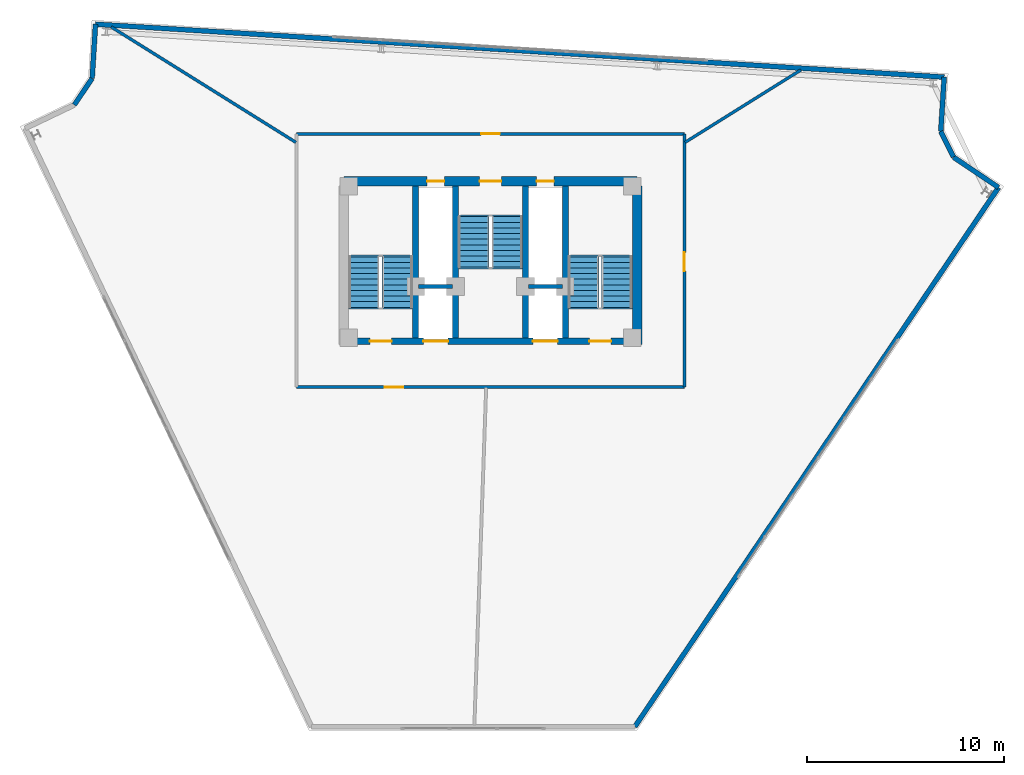
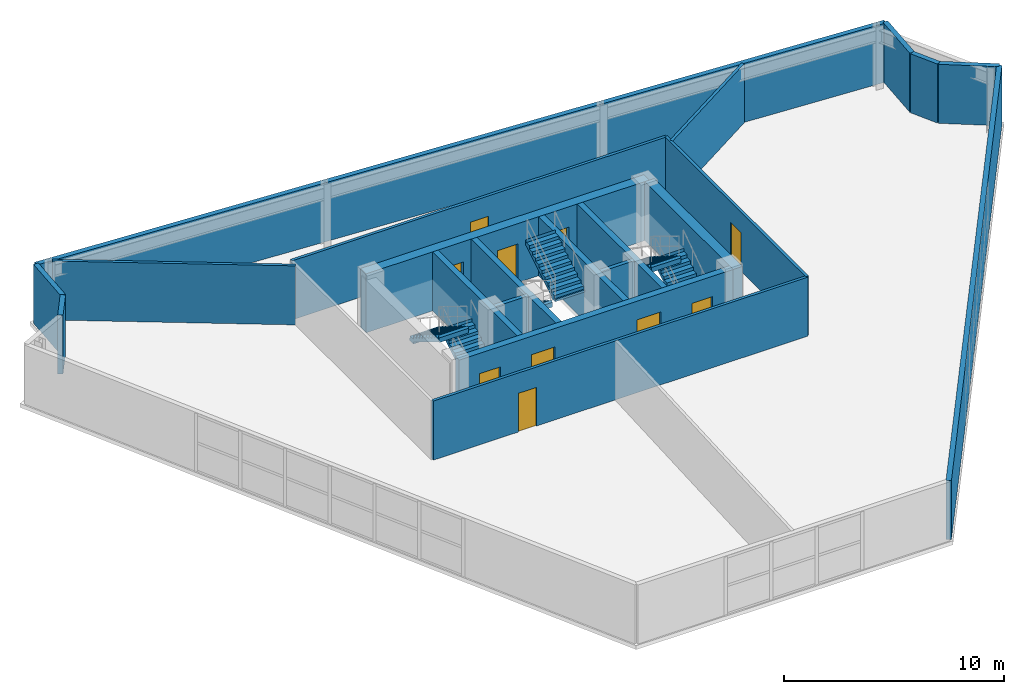
# One storey, part 7 of 8: 21 walls, 10 doors, 6 stair flights, 10 openings, 3 elements without a shape of their own.
"""IFC4 building model written with IfcOpenShell, lengths in metres."""

from ifc_helpers import new_model, si_unit, direction, frame, frame_2d, origin, place, context, subcontext, project, spatial, polyline, rectangle, outline, extrude, material, layer, layer_set, type_object, element, fill, aggregate, save


model = new_model("IFC4")

# Units and contexts
model_context = context("Model", 3, precision=1e-05, world=origin(), true_north=direction((0.0, 1.0)))
body_context = subcontext(model_context, "Body", "Model", "MODEL_VIEW")
ifc_project = project(units=[si_unit("LENGTHUNIT", "METRE"), si_unit("AREAUNIT", "SQUARE_METRE"), si_unit("VOLUMEUNIT", "CUBIC_METRE"), si_unit("PLANEANGLEUNIT", "RADIAN"), si_unit("MASSUNIT", "GRAM", prefix="KILO")], contexts=[model_context])

# Site, building, storey
site_placement = place(None, origin())
site = spatial("IfcSite", under=ifc_project, at=site_placement, CompositionType="ELEMENT")
building_placement = place(site_placement, origin())
building = spatial("IfcBuilding", under=site, at=building_placement, Name="Apsidion Concourse Tower", CompositionType="ELEMENT")
storey_placement = place(building_placement, frame((0.0, 0.0, 332.5)))
storey = spatial("IfcBuildingStorey", under=building, at=storey_placement, Name="L78", CompositionType="ELEMENT", Elevation=332.5)

# Walls
ifc_material_1 = material(Name="Precast concrete C40/50", Category="concrete")
ifc_layer_1 = layer(ifc_material_1, 0.25)
ifc_layer_set_1 = layer_set([ifc_layer_1], Name="Precast concrete C40/50")
wall_type_1 = type_object("IfcWallType", Name="WL-EXT-250", PredefinedType="STANDARD", material=ifc_layer_set_1)
wall_1_placement = place(storey_placement, frame((-21.134521484375, 13.278076171875, 0.0), z_axis=(0.0, 0.0, 1.0), x_axis=(0.559107950815, 0.829094867512, 0.0)))
element("IfcWall", 1, at=wall_1_placement, inside=storey, type_object=wall_type_1, Name="L78 Precast Stone Facade Wall 02", PredefinedType="STANDARD", context=body_context, shape_type="SweptSolid", body=[
    extrude(rectangle(XDim=1.620361328125, YDim=0.25, at=frame_2d((0.81005859375, 0.0))), origin(), (0.0, 0.0, 1.0), 3.280029296875),
])
wall_2_placement = place(storey_placement, frame((-20.228515625, 14.62158203125, 0.0), z_axis=(0.0, 0.0, 1.0), x_axis=(0.062361765106, 0.998053610911, 0.0)))
element("IfcWall", 2, at=wall_2_placement, inside=storey, type_object=wall_type_1, Name="L78 Precast Stone Facade Wall 03", PredefinedType="STANDARD", context=body_context, shape_type="SweptSolid", body=[
    extrude(rectangle(XDim=2.760009765625, YDim=0.25, at=frame_2d((1.3798828125, 0.0))), origin(), (0.0, 0.0, 1.0), 3.280029296875),
])
wall_3_placement = place(storey_placement, frame((-20.056396484375, 17.376220703125, 0.0), z_axis=(0.0, 0.0, 1.0), x_axis=(0.998061236898, -0.06223959674, 0.0)))
element("IfcWall", 3, at=wall_3_placement, inside=storey, type_object=wall_type_1, Name="L78 Precast Stone Facade Wall 04", PredefinedType="STANDARD", context=body_context, shape_type="SweptSolid", body=[
    extrude(rectangle(XDim=43.179931640625, YDim=0.25, at=frame_2d((21.58984375, 0.0))), origin(), (0.0, 0.0, 1.0), 3.280029296875),
])
wall_4_placement = place(storey_placement, frame((23.039794921875, 14.688720703125, 0.0), z_axis=(0.0, 0.0, 1.0), x_axis=(-0.062295651102, -0.998057739739, 0.0)))
element("IfcWall", 4, at=wall_4_placement, inside=storey, type_object=wall_type_1, Name="L78 Precast Stone Facade Wall 05", PredefinedType="STANDARD", context=body_context, shape_type="SweptSolid", body=[
    extrude(rectangle(XDim=2.759033203125, YDim=0.25, at=frame_2d((1.37939453125, 0.0))), origin(), (0.0, 0.0, 1.0), 3.280029296875),
])
wall_5_placement = place(storey_placement, frame((22.867919921875, 11.93505859375, 0.0), z_axis=(0.0, 0.0, 1.0), x_axis=(0.441785524615, -0.897120699929, 0.0)))
element("IfcWall", 5, at=wall_5_placement, inside=storey, type_object=wall_type_1, Name="L78 Precast Stone Facade Wall 06", PredefinedType="STANDARD", context=body_context, shape_type="SweptSolid", body=[
    extrude(rectangle(XDim=1.45947265625, YDim=0.25, at=frame_2d((0.729736328125, 0.0))), origin(), (0.0, 0.0, 1.0), 3.280029296875),
])
wall_6_placement = place(storey_placement, frame((23.5126953125, 10.625732421875, 0.0), z_axis=(0.0, 0.0, 1.0), x_axis=(0.829056864924, -0.559164300294, 0.0)))
element("IfcWall", 6, at=wall_6_placement, inside=storey, type_object=wall_type_1, Name="L78 Precast Stone Facade Wall 07", PredefinedType="STANDARD", context=body_context, shape_type="SweptSolid", body=[
    extrude(rectangle(XDim=2.759033203125, YDim=0.25, at=frame_2d((1.37939453125, 0.0))), origin(), (0.0, 0.0, 1.0), 3.280029296875),
])
wall_7_placement = place(storey_placement, frame((25.800048828125, 9.0830078125, 0.0), z_axis=(0.0, 0.0, 1.0), x_axis=(-0.559195190786, -0.829036029737, 0.0)))
element("IfcWall", 7, at=wall_7_placement, inside=storey, type_object=wall_type_1, Name="L78 Precast Stone Facade Wall 08", PredefinedType="STANDARD", context=body_context, shape_type="SweptSolid", body=[
    extrude(rectangle(XDim=33.030029296875, YDim=0.25, at=frame_2d((16.51513671875, 0.0))), origin(), (0.0, 0.0, 1.0), 3.280029296875),
])

# Wall, opening, door
ifc_material_2 = material(Name="Gypsum plasterboard partition")
ifc_layer_2 = layer(ifc_material_2, 0.14990234375)
ifc_layer_set_2 = layer_set([ifc_layer_2], Name="Gypsum plasterboard partition")
wall_type_2 = type_object("IfcWallType", Name="WL-INT-PAR-150", PredefinedType="PARTITIONING", material=ifc_layer_set_2)
wall_8_placement = place(storey_placement, frame((-9.85009765625, 11.800048828125, 0.0), z_axis=(0.0, 0.0, 1.0), x_axis=(1.0, 0.0, 0.0)))
wall_8 = element("IfcWall", 8, at=wall_8_placement, inside=storey, type_object=wall_type_2, Name="L78 Interior Partition WL-L78-CCR-1", PredefinedType="PARTITIONING", context=body_context, shape_type="SweptSolid", body=[
    extrude(rectangle(XDim=19.7001953125, YDim=0.14990234375, at=frame_2d((9.85009765625, 0.0))), origin(), (0.0, 0.0, 1.0), 3.280029296875),
])
opening_1_placement = place(wall_8_placement, frame((9.375, 0.0, 0.0)))
opening_1 = element("IfcOpeningElement", 9, at=opening_1_placement, cuts=wall_8, Name="Opening D-04L", PredefinedType="OPENING", context=body_context, shape_type="SweptSolid", body=[
    extrude(rectangle(XDim=0.949951171875, YDim=2.14990234375, at=frame_2d((0.47509765625, 1.074951171875))), frame((0.0, 0.0849609375, 0.0), z_axis=(0.0, -1.0, 0.0), x_axis=(1.0, 0.0, 0.0)), (0.0, 0.0, 1.0), 0.169921875),
])
ifc_material_3 = material(Name="Brushed stainless steel 316", Category="steel")
door_type_1 = type_object("IfcDoorType", Name="DR-INT-D04L", OperationType="SINGLE_SWING_LEFT", PredefinedType="DOOR", material=ifc_material_3)
door_1_placement = place(opening_1_placement, origin())
door_1 = element("IfcDoor", 10, at=door_1_placement, inside=storey, type_object=door_type_1, Name="L78 Crown Plant Door 3", OperationType="SINGLE_SWING_LEFT", OverallHeight=2.14990234375, OverallWidth=0.949951171875, PredefinedType="DOOR", context=body_context, shape_type="SweptSolid", body=[
    extrude(rectangle(XDim=0.949951171875, YDim=2.14990234375, at=frame_2d((0.47509765625, 1.074951171875))), frame((0.0, 0.02490234375, 0.0), z_axis=(0.0, -1.0, 0.0), x_axis=(1.0, 0.0, 0.0)), (0.0, 0.0, 1.0), 0.050048828125),
])
fill(opening_1, door_1)

wall_9_placement = place(storey_placement, frame((9.85009765625, 11.800048828125, 0.0), z_axis=(0.0, 0.0, 1.0), x_axis=(0.0, -1.0, 0.0)))
wall_9 = element("IfcWall", 11, at=wall_9_placement, inside=storey, type_object=wall_type_2, Name="L78 Interior Partition WL-L78-CCR-2", PredefinedType="PARTITIONING", context=body_context, shape_type="SweptSolid", body=[
    extrude(rectangle(XDim=12.85498046875, YDim=0.14990234375, at=frame_2d((6.427490234375, 0.0))), origin(), (0.0, 0.0, 1.0), 3.280029296875),
])
opening_2_placement = place(wall_9_placement, frame((6.015380859375, 0.0, 0.0)))
opening_2 = element("IfcOpeningElement", 12, at=opening_2_placement, cuts=wall_9, Name="Opening D-04R", PredefinedType="OPENING", context=body_context, shape_type="SweptSolid", body=[
    extrude(rectangle(XDim=0.949951171875, YDim=2.14990234375, at=frame_2d((0.47509765625, 1.074951171875))), frame((0.0, 0.0849609375, 0.0), z_axis=(0.0, -1.0, 0.0), x_axis=(1.0, 0.0, 0.0)), (0.0, 0.0, 1.0), 0.169921875),
])
door_type_2 = type_object("IfcDoorType", Name="DR-INT-D04R", OperationType="SINGLE_SWING_RIGHT", PredefinedType="DOOR", material=ifc_material_3)
door_2_placement = place(opening_2_placement, origin())
door_2 = element("IfcDoor", 13, at=door_2_placement, inside=storey, type_object=door_type_2, Name="L78 Crown Plant Door 2", OperationType="SINGLE_SWING_RIGHT", OverallHeight=2.14990234375, OverallWidth=0.949951171875, PredefinedType="DOOR", context=body_context, shape_type="SweptSolid", body=[
    extrude(rectangle(XDim=0.949951171875, YDim=2.14990234375, at=frame_2d((0.47509765625, 1.074951171875))), frame((0.0, 0.02490234375, 0.0), z_axis=(0.0, -1.0, 0.0), x_axis=(1.0, 0.0, 0.0)), (0.0, 0.0, 1.0), 0.050048828125),
])
fill(opening_2, door_2)

wall_10_placement = place(storey_placement, frame((9.85009765625, -1.054931640625, 0.0), z_axis=(0.0, 0.0, 1.0), x_axis=(-1.0, 0.0, 0.0)))
wall_10 = element("IfcWall", 14, at=wall_10_placement, inside=storey, type_object=wall_type_2, Name="L78 Interior Partition WL-L78-CCR-3", PredefinedType="PARTITIONING", context=body_context, shape_type="SweptSolid", body=[
    extrude(rectangle(XDim=19.7001953125, YDim=0.14990234375, at=frame_2d((9.85009765625, 0.0))), origin(), (0.0, 0.0, 1.0), 3.280029296875),
])
opening_3_placement = place(wall_10_placement, frame((14.2802734375, 0.0, 0.0)))
opening_3 = element("IfcOpeningElement", 15, at=opening_3_placement, cuts=wall_10, Name="Opening D-04L", PredefinedType="OPENING", context=body_context, shape_type="SweptSolid", body=[
    extrude(rectangle(XDim=0.949951171875, YDim=2.14990234375, at=frame_2d((0.47509765625, 1.074951171875))), frame((0.0, 0.0849609375, 0.0), z_axis=(0.0, -1.0, 0.0), x_axis=(1.0, 0.0, 0.0)), (0.0, 0.0, 1.0), 0.169921875),
])
door_3_placement = place(opening_3_placement, origin())
door_3 = element("IfcDoor", 16, at=door_3_placement, inside=storey, type_object=door_type_1, Name="L78 Crown Plant Door 1", OperationType="SINGLE_SWING_LEFT", OverallHeight=2.14990234375, OverallWidth=0.949951171875, PredefinedType="DOOR", context=body_context, shape_type="SweptSolid", body=[
    extrude(rectangle(XDim=0.949951171875, YDim=2.14990234375, at=frame_2d((0.47509765625, 1.074951171875))), frame((0.0, 0.02490234375, 0.0), z_axis=(0.0, -1.0, 0.0), x_axis=(1.0, 0.0, 0.0)), (0.0, 0.0, 1.0), 0.050048828125),
])
fill(opening_3, door_3)

# Walls
wall_11_placement = place(storey_placement, frame((9.8798828125, 11.373779296875, 0.0), z_axis=(0.0, 0.0, 1.0), x_axis=(0.848061528104, 0.529897768017, 0.0)))
element("IfcWall", 17, at=wall_11_placement, inside=storey, type_object=wall_type_2, Name="L78 Interior Partition WL-L78-CRD-1-1", PredefinedType="PARTITIONING", context=body_context, shape_type="SweptSolid", body=[
    extrude(rectangle(XDim=6.94140625, YDim=0.14990234375, at=frame_2d((3.470703125, 0.0))), origin(), (0.0, 0.0, 1.0), 3.280029296875),
])
wall_12_placement = place(storey_placement, frame((-9.8798828125, 11.373779296875, 0.0), z_axis=(0.0, 0.0, 1.0), x_axis=(-0.848047887242, 0.529919598567, 0.0)))
element("IfcWall", 18, at=wall_12_placement, inside=storey, type_object=wall_type_2, Name="L78 Interior Partition WL-L78-CRD-2-1", PredefinedType="PARTITIONING", context=body_context, shape_type="SweptSolid", body=[
    extrude(rectangle(XDim=11.06396484375, YDim=0.14990234375, at=frame_2d((5.531982421875, 0.0))), origin(), (0.0, 0.0, 1.0), 3.280029296875),
])
ifc_layer_3 = layer(ifc_material_2, 0.199951171875)
ifc_layer_set_3 = layer_set([ifc_layer_3], Name="Gypsum plasterboard partition")
wall_type_3 = type_object("IfcWallType", Name="WL-INT-PAR-200", PredefinedType="PARTITIONING", material=ifc_layer_set_3)
for number, where, z_axis, x_axis, name in (
    (19, (-3.64990234375, 4.050048828125, 0.0), (0.0, 0.0, 1.0), (1.0, 0.0, 0.0), "L78 Interior Partition WL-L78-FF1-N"),
    (20, (1.919921875, 4.050048828125, 0.0), (0.0, 0.0, 1.0), (1.0, 0.0, 0.0), "L78 Interior Partition WL-L78-FF2-N"),
):
    element("IfcWall", number, at=place(storey_placement, frame(where, z_axis=z_axis, x_axis=x_axis)), inside=storey, type_object=wall_type_3, Name=name, PredefinedType="PARTITIONING", context=body_context, shape_type="SweptSolid", body=[
        extrude(rectangle(XDim=1.72998046875, YDim=0.199951171875, at=frame_2d((0.864990234375, 0.0))), origin(), (0.0, 0.0, 1.0), 3.280029296875),
    ])
ifc_material_4 = material(Name="Concrete C50/60", Category="concrete")
ifc_layer_4 = layer(ifc_material_4, 0.300048828125)
ifc_layer_set_4 = layer_set([ifc_layer_4], Name="Concrete C50/60")
wall_type_4 = type_object("IfcWallType", Name="WL-SH-300", PredefinedType="SHEAR", material=ifc_layer_set_4)
for number, where, z_axis, x_axis, name in (
    (21, (-3.800048828125, 1.449951171875, 0.0), (0.0, 0.0, 1.0), (0.0, 1.0, 0.0), "L78 Central Core Shear Wall V1"),
    (22, (-1.77490234375, 1.449951171875, 0.0), (0.0, 0.0, 1.0), (0.0, 1.0, 0.0), "L78 Central Core Shear Wall V2"),
    (23, (1.77490234375, 1.449951171875, 0.0), (0.0, 0.0, 1.0), (0.0, 1.0, 0.0), "L78 Central Core Shear Wall V3"),
    (24, (3.800048828125, 1.449951171875, 0.0), (0.0, 0.0, 1.0), (0.0, 1.0, 0.0), "L78 Central Core Shear Wall V4"),
):
    element("IfcWall", number, at=place(storey_placement, frame(where, z_axis=z_axis, x_axis=x_axis)), inside=storey, type_object=wall_type_4, Name=name, PredefinedType="SHEAR", context=body_context, shape_type="SweptSolid", body=[
        extrude(rectangle(XDim=7.699951171875, YDim=0.300048828125, at=frame_2d((3.85009765625, 0.0))), origin(), (0.0, 0.0, 1.0), 3.280029296875),
    ])

# Wall, openings, doors
ifc_layer_5 = layer(ifc_material_4, 0.35009765625)
ifc_layer_set_5 = layer_set([ifc_layer_5], Name="Concrete C50/60")
wall_type_5 = type_object("IfcWallType", Name="WL-SH-350", PredefinedType="SHEAR", material=ifc_layer_set_5)
wall_13_placement = place(storey_placement, frame((-7.199951171875, 1.27490234375, 0.0), z_axis=(0.0, 0.0, 1.0), x_axis=(1.0, 0.0, 0.0)))
wall_13 = element("IfcWall", 25, at=wall_13_placement, inside=storey, type_object=wall_type_5, Name="L78 Central Core Shear Wall M1", PredefinedType="SHEAR", context=body_context, shape_type="SweptSolid", body=[
    extrude(rectangle(XDim=14.39990234375, YDim=0.35009765625, at=frame_2d((7.199951171875, 0.0))), origin(), (0.0, 0.0, 1.0), 3.280029296875),
])
opening_4_placement = place(wall_13_placement, frame((3.794921875, 0.0, 0.0)))
opening_4 = element("IfcOpeningElement", 26, at=opening_4_placement, cuts=wall_13, Name="Opening LD-FF", PredefinedType="OPENING", context=body_context, shape_type="SweptSolid", body=[
    extrude(rectangle(XDim=1.25, YDim=2.25, at=frame_2d((0.625, 1.125))), frame((0.0, 0.18505859375, 0.0), z_axis=(0.0, -1.0, 0.0), x_axis=(1.0, 0.0, 0.0)), (0.0, 0.0, 1.0), 0.3701171875),
])
opening_5_placement = place(wall_13_placement, frame((9.35498046875, 0.0, 0.0)))
opening_5 = element("IfcOpeningElement", 27, at=opening_5_placement, cuts=wall_13, Name="Opening LD-FF", PredefinedType="OPENING", context=body_context, shape_type="SweptSolid", body=[
    extrude(rectangle(XDim=1.25, YDim=2.25, at=frame_2d((0.625, 1.125))), frame((0.0, 0.18505859375, 0.0), z_axis=(0.0, -1.0, 0.0), x_axis=(1.0, 0.0, 0.0)), (0.0, 0.0, 1.0), 0.3701171875),
])
opening_6_placement = place(wall_13_placement, frame((1.074951171875, 0.0, 0.0)))
opening_6 = element("IfcOpeningElement", 28, at=opening_6_placement, cuts=wall_13, Name="Opening D-STL", PredefinedType="OPENING", context=body_context, shape_type="SweptSolid", body=[
    extrude(rectangle(XDim=1.10009765625, YDim=2.14990234375, at=frame_2d((0.550048828125, 1.074951171875))), frame((0.0, 0.18505859375, 0.0), z_axis=(0.0, -1.0, 0.0), x_axis=(1.0, 0.0, 0.0)), (0.0, 0.0, 1.0), 0.3701171875),
])
opening_7_placement = place(wall_13_placement, frame((12.22509765625, 0.0, 0.0)))
opening_7 = element("IfcOpeningElement", 29, at=opening_7_placement, cuts=wall_13, Name="Opening D-STR", PredefinedType="OPENING", context=body_context, shape_type="SweptSolid", body=[
    extrude(rectangle(XDim=1.10009765625, YDim=2.14990234375, at=frame_2d((0.550048828125, 1.074951171875))), frame((0.0, 0.18505859375, 0.0), z_axis=(0.0, -1.0, 0.0), x_axis=(1.0, 0.0, 0.0)), (0.0, 0.0, 1.0), 0.3701171875),
])
door_type_3 = type_object("IfcDoorType", Name="DR-INT-ST1L", OperationType="SINGLE_SWING_LEFT", PredefinedType="DOOR", material=ifc_material_3)
door_4_placement = place(opening_6_placement, origin())
door_4 = element("IfcDoor", 30, at=door_4_placement, inside=storey, type_object=door_type_3, Name="L78 Core Exit Stair ST1 Door", OperationType="SINGLE_SWING_LEFT", OverallHeight=2.14990234375, OverallWidth=1.10009765625, PredefinedType="DOOR", context=body_context, shape_type="SweptSolid", body=[
    extrude(rectangle(XDim=1.10009765625, YDim=2.14990234375, at=frame_2d((0.550048828125, 1.074951171875))), frame((0.0, 0.02490234375, 0.0), z_axis=(0.0, -1.0, 0.0), x_axis=(1.0, 0.0, 0.0)), (0.0, 0.0, 1.0), 0.050048828125),
])
fill(opening_6, door_4)
door_type_4 = type_object("IfcDoorType", Name="DR-INT-ST1R", OperationType="SINGLE_SWING_RIGHT", PredefinedType="DOOR", material=ifc_material_3)
door_5_placement = place(opening_7_placement, origin())
door_5 = element("IfcDoor", 31, at=door_5_placement, inside=storey, type_object=door_type_4, Name="L78 Core Exit Stair ST2 Door", OperationType="SINGLE_SWING_RIGHT", OverallHeight=2.14990234375, OverallWidth=1.10009765625, PredefinedType="DOOR", context=body_context, shape_type="SweptSolid", body=[
    extrude(rectangle(XDim=1.10009765625, YDim=2.14990234375, at=frame_2d((0.550048828125, 1.074951171875))), frame((0.0, 0.02490234375, 0.0), z_axis=(0.0, -1.0, 0.0), x_axis=(1.0, 0.0, 0.0)), (0.0, 0.0, 1.0), 0.050048828125),
])
fill(opening_7, door_5)
door_type_5 = type_object("IfcDoorType", Name="DR-LD-FSAE", OperationType="DOUBLE_DOOR_SLIDING", PredefinedType="DOOR", material=ifc_material_3)
door_6_placement = place(opening_4_placement, origin())
door_6 = element("IfcDoor", 32, at=door_6_placement, inside=storey, type_object=door_type_5, Name="L78 Lift Landing Door FF1", OperationType="DOUBLE_DOOR_SLIDING", OverallHeight=2.25, OverallWidth=1.25, PredefinedType="DOOR", context=body_context, shape_type="SweptSolid", body=[
    extrude(rectangle(XDim=1.25, YDim=2.25, at=frame_2d((0.625, 1.125))), frame((0.0, 0.02490234375, 0.0), z_axis=(0.0, -1.0, 0.0), x_axis=(1.0, 0.0, 0.0)), (0.0, 0.0, 1.0), 0.050048828125),
])
fill(opening_4, door_6)
door_7_placement = place(opening_5_placement, origin())
door_7 = element("IfcDoor", 33, at=door_7_placement, inside=storey, type_object=door_type_5, Name="L78 Lift Landing Door FF2", OperationType="DOUBLE_DOOR_SLIDING", OverallHeight=2.25, OverallWidth=1.25, PredefinedType="DOOR", context=body_context, shape_type="SweptSolid", body=[
    extrude(rectangle(XDim=1.25, YDim=2.25, at=frame_2d((0.625, 1.125))), frame((0.0, 0.02490234375, 0.0), z_axis=(0.0, -1.0, 0.0), x_axis=(1.0, 0.0, 0.0)), (0.0, 0.0, 1.0), 0.050048828125),
])
fill(opening_5, door_7)

ifc_layer_6 = layer(ifc_material_4, 0.5)
ifc_layer_set_6 = layer_set([ifc_layer_6], Name="Concrete C50/60")
wall_type_6 = type_object("IfcWallType", Name="WL-SH-500", PredefinedType="SHEAR", material=ifc_layer_set_6)
wall_14_placement = place(storey_placement, frame((-7.449951171875, 9.39990234375, 0.0), z_axis=(0.0, 0.0, 1.0), x_axis=(1.0, 0.0, 0.0)))
wall_14 = element("IfcWall", 34, at=wall_14_placement, inside=storey, type_object=wall_type_6, Name="L78 Central Core Shear Wall N", PredefinedType="SHEAR", context=body_context, shape_type="SweptSolid", body=[
    extrude(rectangle(XDim=14.89990234375, YDim=0.5, at=frame_2d((7.449951171875, 0.0))), origin(), (0.0, 0.0, 1.0), 3.280029296875),
])
opening_8_placement = place(wall_14_placement, frame((6.89990234375, 0.0, 0.0)))
opening_8 = element("IfcOpeningElement", 35, at=opening_8_placement, cuts=wall_14, Name="Opening D-STL", PredefinedType="OPENING", context=body_context, shape_type="SweptSolid", body=[
    extrude(rectangle(XDim=1.10009765625, YDim=2.14990234375, at=frame_2d((0.550048828125, 1.074951171875))), frame((0.0, 0.260009765625, 0.0), z_axis=(0.0, -1.0, 0.0), x_axis=(1.0, 0.0, 0.0)), (0.0, 0.0, 1.0), 0.52001953125),
])
opening_9_placement = place(wall_14_placement, frame((4.22998046875, 0.0, 0.0)))
opening_9 = element("IfcOpeningElement", 36, at=opening_9_placement, cuts=wall_14, Name="Opening D-05L", PredefinedType="OPENING", context=body_context, shape_type="SweptSolid", body=[
    extrude(rectangle(XDim=0.8798828125, YDim=2.14990234375, at=frame_2d((0.43994140625, 1.074951171875))), frame((0.0, 0.260009765625, 0.0), z_axis=(0.0, -1.0, 0.0), x_axis=(1.0, 0.0, 0.0)), (0.0, 0.0, 1.0), 0.52001953125),
])
opening_10_placement = place(wall_14_placement, frame((9.7900390625, 0.0, 0.0)))
opening_10 = element("IfcOpeningElement", 37, at=opening_10_placement, cuts=wall_14, Name="Opening D-05R", PredefinedType="OPENING", context=body_context, shape_type="SweptSolid", body=[
    extrude(rectangle(XDim=0.8798828125, YDim=2.14990234375, at=frame_2d((0.43994140625, 1.074951171875))), frame((0.0, 0.260009765625, 0.0), z_axis=(0.0, -1.0, 0.0), x_axis=(1.0, 0.0, 0.0)), (0.0, 0.0, 1.0), 0.52001953125),
])
door_type_6 = type_object("IfcDoorType", Name="DR-INT-D05L", OperationType="SINGLE_SWING_LEFT", PredefinedType="DOOR", material=ifc_material_3)
door_8_placement = place(opening_9_placement, origin())
door_8 = element("IfcDoor", 38, at=door_8_placement, inside=storey, type_object=door_type_6, Name="L78 Electrical Riser Shaft Access Door", OperationType="SINGLE_SWING_LEFT", OverallHeight=2.14990234375, OverallWidth=0.8798828125, PredefinedType="DOOR", context=body_context, shape_type="SweptSolid", body=[
    extrude(rectangle(XDim=0.8798828125, YDim=2.14990234375, at=frame_2d((0.43994140625, 1.074951171875))), frame((0.0, 0.02490234375, 0.0), z_axis=(0.0, -1.0, 0.0), x_axis=(1.0, 0.0, 0.0)), (0.0, 0.0, 1.0), 0.050048828125),
])
fill(opening_9, door_8)
door_type_7 = type_object("IfcDoorType", Name="DR-INT-D05R", OperationType="SINGLE_SWING_RIGHT", PredefinedType="DOOR", material=ifc_material_3)
door_9_placement = place(opening_10_placement, origin())
door_9 = element("IfcDoor", 39, at=door_9_placement, inside=storey, type_object=door_type_7, Name="L78 Mechanical Riser Shaft Access Door", OperationType="SINGLE_SWING_RIGHT", OverallHeight=2.14990234375, OverallWidth=0.8798828125, PredefinedType="DOOR", context=body_context, shape_type="SweptSolid", body=[
    extrude(rectangle(XDim=0.8798828125, YDim=2.14990234375, at=frame_2d((0.43994140625, 1.074951171875))), frame((0.0, 0.02490234375, 0.0), z_axis=(0.0, -1.0, 0.0), x_axis=(1.0, 0.0, 0.0)), (0.0, 0.0, 1.0), 0.050048828125),
])
fill(opening_10, door_9)
door_10_placement = place(opening_8_placement, origin())
door_10 = element("IfcDoor", 40, at=door_10_placement, inside=storey, type_object=door_type_3, Name="L78 Core Exit Stair ST3 Door", OperationType="SINGLE_SWING_LEFT", OverallHeight=2.14990234375, OverallWidth=1.10009765625, PredefinedType="DOOR", context=body_context, shape_type="SweptSolid", body=[
    extrude(rectangle(XDim=1.10009765625, YDim=2.14990234375, at=frame_2d((0.550048828125, 1.074951171875))), frame((0.0, 0.02490234375, 0.0), z_axis=(0.0, -1.0, 0.0), x_axis=(1.0, 0.0, 0.0)), (0.0, 0.0, 1.0), 0.050048828125),
])
fill(opening_8, door_10)

# Wall
wall_15_placement = place(storey_placement, frame((7.449951171875, 1.10009765625, 0.0), z_axis=(0.0, 0.0, 1.0), x_axis=(0.0, 1.0, 0.0)))
element("IfcWall", 41, at=wall_15_placement, inside=storey, type_object=wall_type_6, Name="L78 Central Core Shear Wall EN", PredefinedType="SHEAR", context=body_context, shape_type="SweptSolid", body=[
    extrude(rectangle(XDim=8.0498046875, YDim=0.5, at=frame_2d((4.02490234375, 0.0))), origin(), (0.0, 0.0, 1.0), 3.280029296875),
])

# Stair, stair flights
stair_type = type_object("IfcStairType", Name="ST-DL-1550", PredefinedType="HALF_TURN_STAIR", material=ifc_material_1)
stair_1_placement = place(storey_placement, origin())
stair_1 = element("IfcStair", 42, at=stair_1_placement, inside=storey, type_object=stair_type, Name="L78 Protected Core Exit Stair ST1", PredefinedType="HALF_TURN_STAIR")
stair_flight_type = type_object("IfcStairFlightType", Name="SFL-RC-1550", PredefinedType="STRAIGHT", material=ifc_material_1)
stair_flight_1_placement = place(storey_placement, frame((-4.72509765625, 3.0, 0.0), z_axis=(0.0, 0.0, 1.0), x_axis=(0.0, 1.0, 0.0)))
stair_flight_1 = element("IfcStairFlight", 43, at=stair_flight_1_placement, type_object=stair_flight_type, Name="ST1 flight 1", NumberOfRisers=10, NumberOfTreads=9, PredefinedType="STRAIGHT", RiserHeight=0.175, TreadLength=0.285, context=body_context, shape_type="SweptSolid", body=[
    extrude(outline(polyline([(-0.080078125, -0.1123046875), (-0.080078125, 0.0), (0.0, 0.0), (0.0, 0.175048828125), (0.284912109375, 0.175048828125), (0.284912109375, 0.35009765625), (0.570068359375, 0.35009765625), (0.570068359375, 0.52490234375), (0.85498046875, 0.52490234375), (0.85498046875, 0.699951171875), (1.139892578125, 0.699951171875), (1.139892578125, 0.875), (1.425048828125, 0.875), (1.425048828125, 1.050048828125), (1.7099609375, 1.050048828125), (1.7099609375, 1.22509765625), (1.9951171875, 1.22509765625), (1.9951171875, 1.39990234375), (2.280029296875, 1.39990234375), (2.280029296875, 1.574951171875), (2.56494140625, 1.574951171875), (2.56494140625, 1.75), (2.64501953125, 1.66259765625), (2.64501953125, 1.399169921875), (2.56494140625, 1.399169921875), (0.286376953125, 0.0), (0.286376953125, -0.1123046875), (-0.080078125, -0.1123046875)])), frame((0.0, 0.77490234375, 0.0), z_axis=(0.0, -1.0, 0.0), x_axis=(1.0, 0.0, 0.0)), (0.0, 0.0, 1.0), 1.550048828125),
])
stair_flight_2_placement = place(storey_placement, frame((-6.425048828125, 5.56494140625, 1.75), z_axis=(0.0, 0.0, 1.0), x_axis=(0.0, -1.0, 0.0)))
stair_flight_2 = element("IfcStairFlight", 44, at=stair_flight_2_placement, type_object=stair_flight_type, Name="ST1 flight 2", NumberOfRisers=10, NumberOfTreads=9, PredefinedType="STRAIGHT", RiserHeight=0.175, TreadLength=0.285, context=body_context, shape_type="SweptSolid", body=[
    extrude(outline(polyline([(-0.080078125, -0.1123046875), (-0.080078125, 0.0), (0.0, 0.0), (0.0, 0.175048828125), (0.284912109375, 0.175048828125), (0.284912109375, 0.35009765625), (0.570068359375, 0.35009765625), (0.570068359375, 0.52490234375), (0.85498046875, 0.52490234375), (0.85498046875, 0.699951171875), (1.139892578125, 0.699951171875), (1.139892578125, 0.875), (1.425048828125, 0.875), (1.425048828125, 1.050048828125), (1.7099609375, 1.050048828125), (1.7099609375, 1.22509765625), (1.9951171875, 1.22509765625), (1.9951171875, 1.39990234375), (2.280029296875, 1.39990234375), (2.280029296875, 1.574951171875), (2.56494140625, 1.574951171875), (2.56494140625, 1.75), (2.64501953125, 1.66259765625), (2.64501953125, 1.399169921875), (2.56494140625, 1.399169921875), (0.286376953125, 0.0), (0.286376953125, -0.1123046875), (-0.080078125, -0.1123046875)])), frame((0.0, 0.77490234375, 0.0), z_axis=(0.0, -1.0, 0.0), x_axis=(1.0, 0.0, 0.0)), (0.0, 0.0, 1.0), 1.550048828125),
])
aggregate(stair_1, [stair_flight_1, stair_flight_2])

stair_2_placement = place(storey_placement, origin())
stair_2 = element("IfcStair", 45, at=stair_2_placement, inside=storey, type_object=stair_type, Name="L78 Protected Core Exit Stair ST2", PredefinedType="HALF_TURN_STAIR")
stair_flight_3_placement = place(storey_placement, frame((6.425048828125, 3.0, 0.0), z_axis=(0.0, 0.0, 1.0), x_axis=(0.0, 1.0, 0.0)))
stair_flight_3 = element("IfcStairFlight", 46, at=stair_flight_3_placement, type_object=stair_flight_type, Name="ST2 flight 1", NumberOfRisers=10, NumberOfTreads=9, PredefinedType="STRAIGHT", RiserHeight=0.175, TreadLength=0.285, context=body_context, shape_type="SweptSolid", body=[
    extrude(outline(polyline([(-0.080078125, -0.1123046875), (-0.080078125, 0.0), (0.0, 0.0), (0.0, 0.175048828125), (0.284912109375, 0.175048828125), (0.284912109375, 0.35009765625), (0.570068359375, 0.35009765625), (0.570068359375, 0.52490234375), (0.85498046875, 0.52490234375), (0.85498046875, 0.699951171875), (1.139892578125, 0.699951171875), (1.139892578125, 0.875), (1.425048828125, 0.875), (1.425048828125, 1.050048828125), (1.7099609375, 1.050048828125), (1.7099609375, 1.22509765625), (1.9951171875, 1.22509765625), (1.9951171875, 1.39990234375), (2.280029296875, 1.39990234375), (2.280029296875, 1.574951171875), (2.56494140625, 1.574951171875), (2.56494140625, 1.75), (2.64501953125, 1.66259765625), (2.64501953125, 1.399169921875), (2.56494140625, 1.399169921875), (0.286376953125, 0.0), (0.286376953125, -0.1123046875), (-0.080078125, -0.1123046875)])), frame((0.0, 0.77490234375, 0.0), z_axis=(0.0, -1.0, 0.0), x_axis=(1.0, 0.0, 0.0)), (0.0, 0.0, 1.0), 1.550048828125),
])
stair_flight_4_placement = place(storey_placement, frame((4.72509765625, 5.56494140625, 1.75), z_axis=(0.0, 0.0, 1.0), x_axis=(0.0, -1.0, 0.0)))
stair_flight_4 = element("IfcStairFlight", 47, at=stair_flight_4_placement, type_object=stair_flight_type, Name="ST2 flight 2", NumberOfRisers=10, NumberOfTreads=9, PredefinedType="STRAIGHT", RiserHeight=0.175, TreadLength=0.285, context=body_context, shape_type="SweptSolid", body=[
    extrude(outline(polyline([(-0.080078125, -0.1123046875), (-0.080078125, 0.0), (0.0, 0.0), (0.0, 0.175048828125), (0.284912109375, 0.175048828125), (0.284912109375, 0.35009765625), (0.570068359375, 0.35009765625), (0.570068359375, 0.52490234375), (0.85498046875, 0.52490234375), (0.85498046875, 0.699951171875), (1.139892578125, 0.699951171875), (1.139892578125, 0.875), (1.425048828125, 0.875), (1.425048828125, 1.050048828125), (1.7099609375, 1.050048828125), (1.7099609375, 1.22509765625), (1.9951171875, 1.22509765625), (1.9951171875, 1.39990234375), (2.280029296875, 1.39990234375), (2.280029296875, 1.574951171875), (2.56494140625, 1.574951171875), (2.56494140625, 1.75), (2.64501953125, 1.66259765625), (2.64501953125, 1.399169921875), (2.56494140625, 1.399169921875), (0.286376953125, 0.0), (0.286376953125, -0.1123046875), (-0.080078125, -0.1123046875)])), frame((0.0, 0.77490234375, 0.0), z_axis=(0.0, -1.0, 0.0), x_axis=(1.0, 0.0, 0.0)), (0.0, 0.0, 1.0), 1.550048828125),
])
aggregate(stair_2, [stair_flight_3, stair_flight_4])

stair_3_placement = place(storey_placement, origin())
stair_3 = element("IfcStair", 48, at=stair_3_placement, inside=storey, type_object=stair_type, Name="L78 Protected Core Exit Stair ST3", PredefinedType="HALF_TURN_STAIR")
stair_flight_5_placement = place(storey_placement, frame((-0.85009765625, 7.60009765625, 0.0), z_axis=(0.0, 0.0, 1.0), x_axis=(0.0, -1.0, 0.0)))
stair_flight_5 = element("IfcStairFlight", 49, at=stair_flight_5_placement, type_object=stair_flight_type, Name="ST3 flight 1", NumberOfRisers=10, NumberOfTreads=9, PredefinedType="STRAIGHT", RiserHeight=0.175, TreadLength=0.285, context=body_context, shape_type="SweptSolid", body=[
    extrude(outline(polyline([(-0.080078125, -0.1123046875), (-0.080078125, 0.0), (0.0, 0.0), (0.0, 0.175048828125), (0.284912109375, 0.175048828125), (0.284912109375, 0.35009765625), (0.570068359375, 0.35009765625), (0.570068359375, 0.52490234375), (0.85498046875, 0.52490234375), (0.85498046875, 0.699951171875), (1.139892578125, 0.699951171875), (1.139892578125, 0.875), (1.425048828125, 0.875), (1.425048828125, 1.050048828125), (1.7099609375, 1.050048828125), (1.7099609375, 1.22509765625), (1.9951171875, 1.22509765625), (1.9951171875, 1.39990234375), (2.280029296875, 1.39990234375), (2.280029296875, 1.574951171875), (2.56494140625, 1.574951171875), (2.56494140625, 1.75), (2.64501953125, 1.66259765625), (2.64501953125, 1.399169921875), (2.56494140625, 1.399169921875), (0.286376953125, 0.0), (0.286376953125, -0.1123046875), (-0.080078125, -0.1123046875)])), frame((0.0, 0.77490234375, 0.0), z_axis=(0.0, -1.0, 0.0), x_axis=(1.0, 0.0, 0.0)), (0.0, 0.0, 1.0), 1.550048828125),
])
stair_flight_6_placement = place(storey_placement, frame((0.85009765625, 5.034912109375, 1.75), z_axis=(0.0, 0.0, 1.0), x_axis=(0.0, 1.0, 0.0)))
stair_flight_6 = element("IfcStairFlight", 50, at=stair_flight_6_placement, type_object=stair_flight_type, Name="ST3 flight 2", NumberOfRisers=10, NumberOfTreads=9, PredefinedType="STRAIGHT", RiserHeight=0.175, TreadLength=0.285, context=body_context, shape_type="SweptSolid", body=[
    extrude(outline(polyline([(-0.080078125, -0.1123046875), (-0.080078125, 0.0), (0.0, 0.0), (0.0, 0.175048828125), (0.284912109375, 0.175048828125), (0.284912109375, 0.35009765625), (0.570068359375, 0.35009765625), (0.570068359375, 0.52490234375), (0.85498046875, 0.52490234375), (0.85498046875, 0.699951171875), (1.139892578125, 0.699951171875), (1.139892578125, 0.875), (1.425048828125, 0.875), (1.425048828125, 1.050048828125), (1.7099609375, 1.050048828125), (1.7099609375, 1.22509765625), (1.9951171875, 1.22509765625), (1.9951171875, 1.39990234375), (2.280029296875, 1.39990234375), (2.280029296875, 1.574951171875), (2.56494140625, 1.574951171875), (2.56494140625, 1.75), (2.64501953125, 1.66259765625), (2.64501953125, 1.399169921875), (2.56494140625, 1.399169921875), (0.286376953125, 0.0), (0.286376953125, -0.1123046875), (-0.080078125, -0.1123046875)])), frame((0.0, 0.77490234375, 0.0), z_axis=(0.0, -1.0, 0.0), x_axis=(1.0, 0.0, 0.0)), (0.0, 0.0, 1.0), 1.550048828125),
])
aggregate(stair_3, [stair_flight_5, stair_flight_6])

save(model, "model.ifc")
